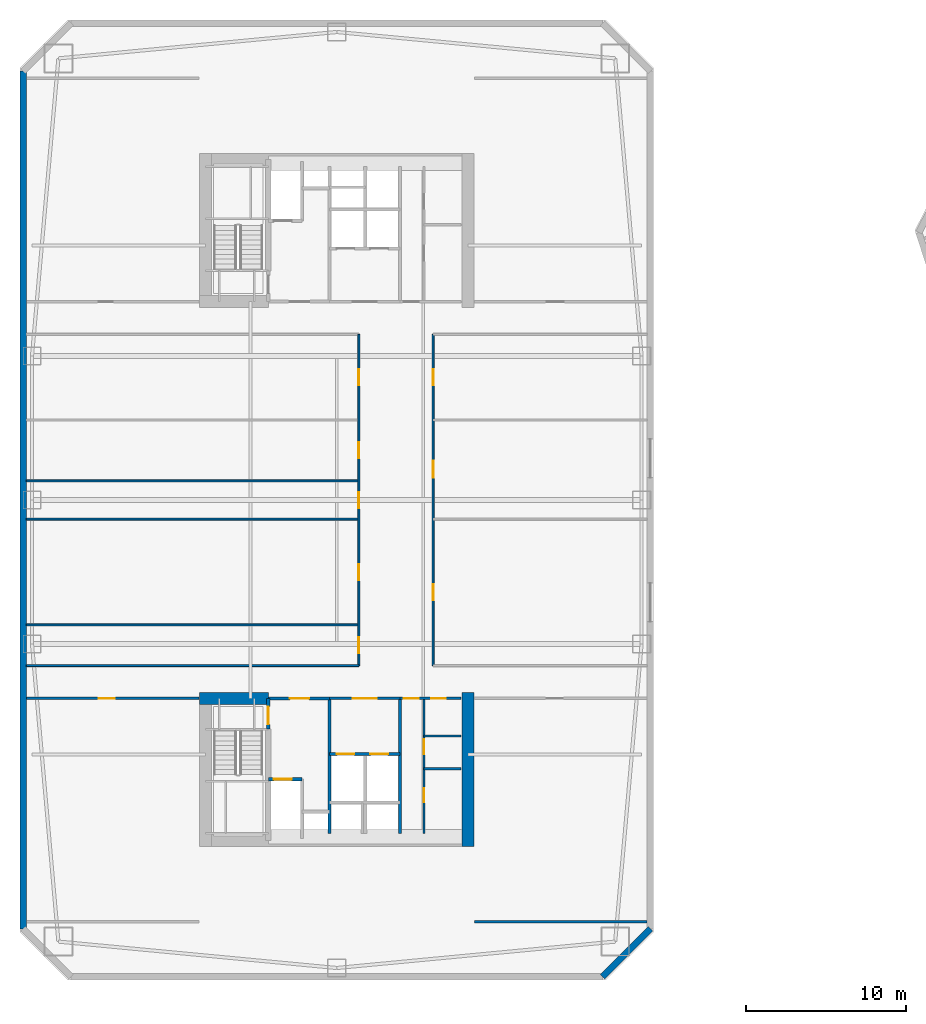
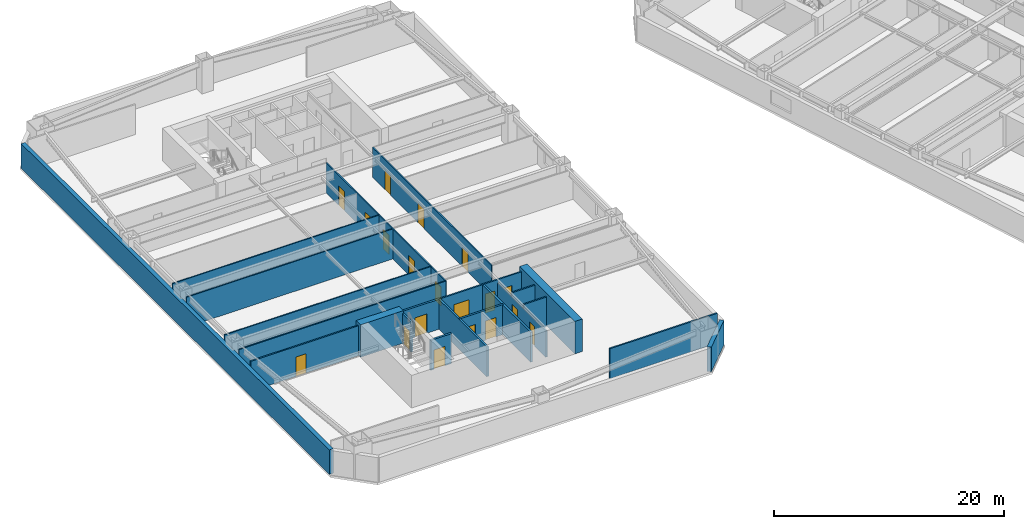
# One storey, part 5 of 13: 23 walls, 19 doors, 19 openings.
"""IFC4 building model written with IfcOpenShell, lengths in metres."""

from ifc_helpers import new_model, si_unit, direction, frame, frame_2d, origin, place, context, subcontext, project, spatial, rectangle, extrude, material, layer, layer_set, type_object, element, fill, save


model = new_model("IFC4")

# Units and contexts
model_context = context("Model", 3, precision=1e-05, world=origin(), true_north=direction((0.0, 1.0)))
body_context = subcontext(model_context, "Body", "Model", "MODEL_VIEW")
ifc_project = project(units=[si_unit("LENGTHUNIT", "METRE"), si_unit("AREAUNIT", "SQUARE_METRE"), si_unit("VOLUMEUNIT", "CUBIC_METRE"), si_unit("PLANEANGLEUNIT", "RADIAN"), si_unit("MASSUNIT", "GRAM", prefix="KILO")], contexts=[model_context])

# Site, building, storey
site_placement = place(None, origin())
site = spatial("IfcSite", under=ifc_project, at=site_placement, CompositionType="ELEMENT")
building_placement = place(site_placement, origin())
building = spatial("IfcBuilding", under=site, at=building_placement, Name="Qiaolan Cultural Towers", CompositionType="ELEMENT")
storey_placement = place(building_placement, frame((0.0, 0.0, 85.10009765625)))
storey = spatial("IfcBuildingStorey", under=building, at=storey_placement, Name="L21", CompositionType="ELEMENT", Elevation=85.10009765625)

# Walls
ifc_material_1 = material(Name="Concrete C60", Category="concrete")
ifc_layer_1 = layer(ifc_material_1, 0.75)
ifc_layer_set_1 = layer_set([ifc_layer_1], Name="Concrete C60")
wall_type_1 = type_object("IfcWallType", Name="WL-CORE-750", PredefinedType="SHEAR", material=ifc_layer_set_1)
wall_1_placement = place(storey_placement, frame((38.199951171875, 21.97509765625, 0.0), z_axis=(0.0, 0.0, 1.0), x_axis=(0.0, -1.0, 0.0)))
element("IfcWall", 1, at=wall_1_placement, inside=storey, type_object=wall_type_1, Name="L21 T1-CS East Core Shear Wall", PredefinedType="SHEAR", context=body_context, shape_type="SweptSolid", body=[
    extrude(rectangle(XDim=9.630126953125, YDim=0.75, at=frame_2d((4.81494140625, 0.0))), origin(), (0.0, 0.0, 1.0), 3.449951171875),
])
wall_2_placement = place(storey_placement, frame((21.425048828125, 21.60009765625, 0.0), z_axis=(0.0, 0.0, 1.0), x_axis=(1.0, 0.0, 0.0)))
element("IfcWall", 2, at=wall_2_placement, inside=storey, type_object=wall_type_1, Name="L21 T1-CS Stair Front Shear Wall", PredefinedType="SHEAR", context=body_context, shape_type="SweptSolid", body=[
    extrude(rectangle(XDim=4.294921875, YDim=0.75, at=frame_2d((2.1474609375, 0.0))), origin(), (0.0, 0.0, 1.0), 3.449951171875),
])
ifc_material_2 = material(Name="Precast Concrete C50 Honed Stone Pier", Category="masonry")
ifc_layer_2 = layer(ifc_material_2, 0.39990234375)
ifc_layer_set_2 = layer_set([ifc_layer_2], Name="Precast Concrete C50 Honed Stone Pier")
wall_type_2 = type_object("IfcWallType", Name="WL-EXT-PIER-400", PredefinedType="SOLIDWALL", material=ifc_layer_set_2)
wall_3_placement = place(storey_placement, frame((10.39990234375, 7.199951171875, 0.0), z_axis=(0.0, 0.0, 1.0), x_axis=(0.0, 1.0, 0.0)))
element("IfcWall", 3, at=wall_3_placement, inside=storey, type_object=wall_type_2, Name="L21 West Tower Precast Pier Facade Wall F1", PredefinedType="SOLIDWALL", context=body_context, shape_type="SweptSolid", body=[
    extrude(rectangle(XDim=53.60009765625, YDim=0.39990234375, at=frame_2d((26.800048828125, 0.0))), origin(), (0.0, 0.0, 1.0), 2.60986328125),
])
wall_4_placement = place(storey_placement, frame((49.60009765625, 7.199951171875, 0.0), z_axis=(0.0, 0.0, 1.0), x_axis=(-0.707106781187, -0.707106781187, 0.0)))
element("IfcWall", 4, at=wall_4_placement, inside=storey, type_object=wall_type_2, Name="L21 West Tower Precast Pier Facade Wall F6", PredefinedType="SOLIDWALL", context=body_context, shape_type="SweptSolid", body=[
    extrude(rectangle(XDim=4.24267578125, YDim=0.39990234375, at=frame_2d((2.121337890625, 0.0))), origin(), (0.0, 0.0, 1.0), 2.60986328125),
])

# Wall, opening, door
ifc_material_3 = material(Name="Concrete C35 Fire Wall", Category="concrete")
ifc_layer_3 = layer(ifc_material_3, 0.199951171875)
ifc_layer_set_3 = layer_set([ifc_layer_3], Name="Concrete C35 Fire Wall")
wall_type_3 = type_object("IfcWallType", Name="WL-FIRE-200", PredefinedType="PARTITIONING", material=ifc_layer_set_3)
wall_5_placement = place(storey_placement, frame((25.719970703125, 21.60009765625, 0.0), z_axis=(0.0, 0.0, 1.0), x_axis=(0.0, -1.0, 0.0)))
wall_5 = element("IfcWall", 5, at=wall_5_placement, inside=storey, type_object=wall_type_3, Name="L21 T1-CS Smokeproof Stair Entry Wall", PredefinedType="PARTITIONING", context=body_context, shape_type="SweptSolid", body=[
    extrude(rectangle(XDim=1.900146484375, YDim=0.199951171875, at=frame_2d((0.9501953125, 0.0))), origin(), (0.0, 0.0, 1.0), 3.1748046875),
])
opening_1_placement = place(wall_5_placement, frame((0.52001953125, 0.0, 0.0)))
opening_1 = element("IfcOpeningElement", 6, at=opening_1_placement, cuts=wall_5, Name="Opening FD-04", PredefinedType="OPENING", context=body_context, shape_type="SweptSolid", body=[
    extrude(rectangle(XDim=1.10009765625, YDim=2.050048828125, at=frame_2d((0.550048828125, 1.02490234375))), frame((0.0, 0.10986328125, 0.0), z_axis=(0.0, -1.0, 0.0), x_axis=(1.0, 0.0, 0.0)), (0.0, 0.0, 1.0), 0.219970703125),
])
ifc_material_4 = material(Name="Galvanized Steel Command Fire Door", Category="steel")
door_type_1 = type_object("IfcDoorType", Name="DR-FD90-1100", OperationType="NOTDEFINED", PredefinedType="DOOR", material=ifc_material_4)
door_1_placement = place(opening_1_placement, origin())
door_1 = element("IfcDoor", 7, at=door_1_placement, inside=storey, type_object=door_type_1, Name="L21 ST-W1 Smokeproof Stair Fire Door", OperationType="SINGLE_SWING_LEFT", OverallHeight=2.050048828125, OverallWidth=1.10009765625, PredefinedType="DOOR", context=body_context, shape_type="SweptSolid", body=[
    extrude(rectangle(XDim=1.10009765625, YDim=2.050048828125, at=frame_2d((0.550048828125, 1.02490234375))), frame((0.0, 0.02490234375, 0.0), z_axis=(0.0, -1.0, 0.0), x_axis=(1.0, 0.0, 0.0)), (0.0, 0.0, 1.0), 0.050048828125),
])
fill(opening_1, door_1)

# Wall
wall_6_placement = place(storey_placement, frame((29.550048828125, 21.60009765625, 0.0), z_axis=(0.0, 0.0, 1.0), x_axis=(0.0, -1.0, 0.0)))
element("IfcWall", 8, at=wall_6_placement, inside=storey, type_object=wall_type_3, Name="L21 T1-CS Firefighting Zone Wall", PredefinedType="PARTITIONING", context=body_context, shape_type="SweptSolid", body=[
    extrude(rectangle(XDim=8.43017578125, YDim=0.199951171875, at=frame_2d((4.215087890625, 0.0))), origin(), (0.0, 0.0, 1.0), 3.1748046875),
])

# Wall, opening, door
wall_7_placement = place(storey_placement, frame((25.719970703125, 21.60009765625, 0.0), z_axis=(0.0, 0.0, 1.0), x_axis=(1.0, 0.0, 0.0)))
wall_7 = element("IfcWall", 9, at=wall_7_placement, inside=storey, type_object=wall_type_3, Name="L21 T1-CS Firefighting Lobby Front Wall", PredefinedType="PARTITIONING", context=body_context, shape_type="SweptSolid", body=[
    extrude(rectangle(XDim=3.830078125, YDim=0.199951171875, at=frame_2d((1.9150390625, 0.0))), origin(), (0.0, 0.0, 1.0), 3.1748046875),
])
opening_2_placement = place(wall_7_placement, frame((1.35009765625, 0.0, 0.0)))
opening_2 = element("IfcOpeningElement", 10, at=opening_2_placement, cuts=wall_7, Name="Opening FD-03", PredefinedType="OPENING", context=body_context, shape_type="SweptSolid", body=[
    extrude(rectangle(XDim=1.199951171875, YDim=2.050048828125, at=frame_2d((0.60009765625, 1.02490234375))), frame((0.0, 0.10986328125, 0.0), z_axis=(0.0, -1.0, 0.0), x_axis=(1.0, 0.0, 0.0)), (0.0, 0.0, 1.0), 0.219970703125),
])
ifc_material_5 = material(Name="Galvanized Steel Smokeproof Lobby Fire Door", Category="steel")
door_type_2 = type_object("IfcDoorType", Name="DR-FD90-1200", OperationType="NOTDEFINED", PredefinedType="DOOR", material=ifc_material_5)
door_2_placement = place(opening_2_placement, origin())
door_2 = element("IfcDoor", 11, at=door_2_placement, inside=storey, type_object=door_type_2, Name="L21 FFL-W1 Firefighting Lobby Fire Door", OperationType="SINGLE_SWING_LEFT", OverallHeight=2.050048828125, OverallWidth=1.199951171875, PredefinedType="DOOR", context=body_context, shape_type="SweptSolid", body=[
    extrude(rectangle(XDim=1.199951171875, YDim=2.050048828125, at=frame_2d((0.60009765625, 1.02490234375))), frame((0.0, 0.02490234375, 0.0), z_axis=(0.0, -1.0, 0.0), x_axis=(1.0, 0.0, 0.0)), (0.0, 0.0, 1.0), 0.050048828125),
])
fill(opening_2, door_2)

wall_8_placement = place(storey_placement, frame((25.719970703125, 16.550048828125, 0.0), z_axis=(0.0, 0.0, 1.0), x_axis=(1.0, 0.0, 0.0)))
wall_8 = element("IfcWall", 12, at=wall_8_placement, inside=storey, type_object=wall_type_3, Name="L21 T1-CS Firefighting Shaft Front Wall", PredefinedType="PARTITIONING", context=body_context, shape_type="SweptSolid", body=[
    extrude(rectangle(XDim=2.10009765625, YDim=0.199951171875, at=frame_2d((1.050048828125, 0.0))), origin(), (0.0, 0.0, 1.0), 3.1748046875),
])
opening_3_placement = place(wall_8_placement, frame((0.35009765625, 0.0, 0.0)))
opening_3 = element("IfcOpeningElement", 13, at=opening_3_placement, cuts=wall_8, Name="Opening LD-01", PredefinedType="OPENING", context=body_context, shape_type="SweptSolid", body=[
    extrude(rectangle(XDim=1.10009765625, YDim=2.050048828125, at=frame_2d((0.550048828125, 1.02490234375))), frame((0.0, 0.10986328125, 0.0), z_axis=(0.0, -1.0, 0.0), x_axis=(1.0, 0.0, 0.0)), (0.0, 0.0, 1.0), 0.219970703125),
])
ifc_material_6 = material(Name="Brushed Stainless Steel S30408 Centre-Parting Lift Landing Door", Category="steel")
door_type_3 = type_object("IfcDoorType", Name="DR-LIFT-1100", OperationType="NOTDEFINED", PredefinedType="DOOR", material=ifc_material_6)
door_3_placement = place(opening_3_placement, origin())
door_3 = element("IfcDoor", 14, at=door_3_placement, inside=storey, type_object=door_type_3, Name="L21 FFL-W1 Firefighting Lift Landing Door", OperationType="DOUBLE_DOOR_SLIDING", OverallHeight=2.050048828125, OverallWidth=1.10009765625, PredefinedType="DOOR", context=body_context, shape_type="SweptSolid", body=[
    extrude(rectangle(XDim=1.10009765625, YDim=2.050048828125, at=frame_2d((0.550048828125, 1.02490234375))), frame((0.0, 0.02490234375, 0.0), z_axis=(0.0, -1.0, 0.0), x_axis=(1.0, 0.0, 0.0)), (0.0, 0.0, 1.0), 0.050048828125),
])
fill(opening_3, door_3)

# Wall
wall_9_placement = place(storey_placement, frame((33.949951171875, 21.60009765625, 0.0), z_axis=(0.0, 0.0, 1.0), x_axis=(0.0, -1.0, 0.0)))
element("IfcWall", 15, at=wall_9_placement, inside=storey, type_object=wall_type_3, Name="L21 T1-CS Lift Core East Wall", PredefinedType="PARTITIONING", context=body_context, shape_type="SweptSolid", body=[
    extrude(rectangle(XDim=8.43017578125, YDim=0.199951171875, at=frame_2d((4.215087890625, 0.0))), origin(), (0.0, 0.0, 1.0), 3.1748046875),
])

# Wall, openings, doors
wall_10_placement = place(storey_placement, frame((29.550048828125, 18.1201171875, 0.0), z_axis=(0.0, 0.0, 1.0), x_axis=(1.0, 0.0, 0.0)))
wall_10 = element("IfcWall", 16, at=wall_10_placement, inside=storey, type_object=wall_type_3, Name="L21 T1-CS Passenger Lift Shaft Front Wall", PredefinedType="PARTITIONING", context=body_context, shape_type="SweptSolid", body=[
    extrude(rectangle(XDim=4.39990234375, YDim=0.199951171875, at=frame_2d((2.199951171875, 0.0))), origin(), (0.0, 0.0, 1.0), 3.1748046875),
])
opening_4_placement = place(wall_10_placement, frame((0.449951171875, 0.0, 0.0)))
opening_4 = element("IfcOpeningElement", 17, at=opening_4_placement, cuts=wall_10, Name="Opening LD-01", PredefinedType="OPENING", context=body_context, shape_type="SweptSolid", body=[
    extrude(rectangle(XDim=1.10009765625, YDim=2.050048828125, at=frame_2d((0.550048828125, 1.02490234375))), frame((0.0, 0.10986328125, 0.0), z_axis=(0.0, -1.0, 0.0), x_axis=(1.0, 0.0, 0.0)), (0.0, 0.0, 1.0), 0.219970703125),
])
opening_5_placement = place(wall_10_placement, frame((2.550048828125, 0.0, 0.0)))
opening_5 = element("IfcOpeningElement", 18, at=opening_5_placement, cuts=wall_10, Name="Opening LD-01", PredefinedType="OPENING", context=body_context, shape_type="SweptSolid", body=[
    extrude(rectangle(XDim=1.10009765625, YDim=2.050048828125, at=frame_2d((0.550048828125, 1.02490234375))), frame((0.0, 0.10986328125, 0.0), z_axis=(0.0, -1.0, 0.0), x_axis=(1.0, 0.0, 0.0)), (0.0, 0.0, 1.0), 0.219970703125),
])
door_4_placement = place(opening_4_placement, origin())
door_4 = element("IfcDoor", 19, at=door_4_placement, inside=storey, type_object=door_type_3, Name="L21 Passenger Lift 1 Landing Door", OperationType="DOUBLE_DOOR_SLIDING", OverallHeight=2.050048828125, OverallWidth=1.10009765625, PredefinedType="DOOR", context=body_context, shape_type="SweptSolid", body=[
    extrude(rectangle(XDim=1.10009765625, YDim=2.050048828125, at=frame_2d((0.550048828125, 1.02490234375))), frame((0.0, 0.02490234375, 0.0), z_axis=(0.0, -1.0, 0.0), x_axis=(1.0, 0.0, 0.0)), (0.0, 0.0, 1.0), 0.050048828125),
])
fill(opening_4, door_4)
door_5_placement = place(opening_5_placement, origin())
door_5 = element("IfcDoor", 20, at=door_5_placement, inside=storey, type_object=door_type_3, Name="L21 Passenger Lift 2 Landing Door", OperationType="DOUBLE_DOOR_SLIDING", OverallHeight=2.050048828125, OverallWidth=1.10009765625, PredefinedType="DOOR", context=body_context, shape_type="SweptSolid", body=[
    extrude(rectangle(XDim=1.10009765625, YDim=2.050048828125, at=frame_2d((0.550048828125, 1.02490234375))), frame((0.0, 0.02490234375, 0.0), z_axis=(0.0, -1.0, 0.0), x_axis=(1.0, 0.0, 0.0)), (0.0, 0.0, 1.0), 0.050048828125),
])
fill(opening_5, door_5)

# Wall
ifc_material_7 = material(Name="Gypsum Stud Acoustic Partition", Category="gypsum")
ifc_layer_4 = layer(ifc_material_7, 0.1201171875)
ifc_layer_set_4 = layer_set([ifc_layer_4], Name="Gypsum Stud Acoustic Partition")
wall_type_4 = type_object("IfcWallType", Name="WL-PART-120", PredefinedType="PARTITIONING", material=ifc_layer_set_4)
wall_11_placement = place(storey_placement, frame((10.60009765625, 23.64990234375, 0.0), z_axis=(0.0, 0.0, 1.0), x_axis=(1.0, 0.0, 0.0)))
element("IfcWall", 21, at=wall_11_placement, inside=storey, type_object=wall_type_4, Name="L21 T1 South Corridor Left Wall", PredefinedType="PARTITIONING", context=body_context, shape_type="SweptSolid", body=[
    extrude(rectangle(XDim=20.77490234375, YDim=0.1201171875, at=frame_2d((10.387451171875, 0.0))), origin(), (0.0, 0.0, 1.0), 3.1748046875),
])

# Wall, openings, doors
wall_12_placement = place(storey_placement, frame((31.375, 23.64990234375, 0.0), z_axis=(0.0, 0.0, 1.0), x_axis=(0.0, 1.0, 0.0)))
wall_12 = element("IfcWall", 22, at=wall_12_placement, inside=storey, type_object=wall_type_4, Name="L21 T1 West Spine Wall", PredefinedType="PARTITIONING", context=body_context, shape_type="SweptSolid", body=[
    extrude(rectangle(XDim=20.7001953125, YDim=0.1201171875, at=frame_2d((10.35009765625, 0.0))), origin(), (0.0, 0.0, 1.0), 3.1748046875),
])
opening_6_placement = place(wall_12_placement, frame((0.77490234375, 0.0, 0.0)))
opening_6 = element("IfcOpeningElement", 23, at=opening_6_placement, cuts=wall_12, Name="Opening ID-04", PredefinedType="OPENING", context=body_context, shape_type="SweptSolid", body=[
    extrude(rectangle(XDim=1.0, YDim=2.050048828125, at=frame_2d((0.5, 1.02490234375))), frame((0.0, 0.070068359375, 0.0), z_axis=(0.0, -1.0, 0.0), x_axis=(1.0, 0.0, 0.0)), (0.0, 0.0, 1.0), 0.14013671875),
])
opening_7_placement = place(wall_12_placement, frame((5.35009765625, 0.0, 0.0)))
opening_7 = element("IfcOpeningElement", 24, at=opening_7_placement, cuts=wall_12, Name="Opening ID-04", PredefinedType="OPENING", context=body_context, shape_type="SweptSolid", body=[
    extrude(rectangle(XDim=1.0, YDim=2.050048828125, at=frame_2d((0.5, 1.02490234375))), frame((0.0, 0.070068359375, 0.0), z_axis=(0.0, -1.0, 0.0), x_axis=(1.0, 0.0, 0.0)), (0.0, 0.0, 1.0), 0.14013671875),
])
opening_8_placement = place(wall_12_placement, frame((9.85009765625, 0.0, 0.0)))
opening_8 = element("IfcOpeningElement", 25, at=opening_8_placement, cuts=wall_12, Name="Opening ID-04", PredefinedType="OPENING", context=body_context, shape_type="SweptSolid", body=[
    extrude(rectangle(XDim=1.0, YDim=2.050048828125, at=frame_2d((0.5, 1.02490234375))), frame((0.0, 0.070068359375, 0.0), z_axis=(0.0, -1.0, 0.0), x_axis=(1.0, 0.0, 0.0)), (0.0, 0.0, 1.0), 0.14013671875),
])
opening_9_placement = place(wall_12_placement, frame((12.949951171875, 0.0, 0.0)))
opening_9 = element("IfcOpeningElement", 26, at=opening_9_placement, cuts=wall_12, Name="Opening ID-04", PredefinedType="OPENING", context=body_context, shape_type="SweptSolid", body=[
    extrude(rectangle(XDim=1.0, YDim=2.050048828125, at=frame_2d((0.5, 1.02490234375))), frame((0.0, 0.070068359375, 0.0), z_axis=(0.0, -1.0, 0.0), x_axis=(1.0, 0.0, 0.0)), (0.0, 0.0, 1.0), 0.14013671875),
])
opening_10_placement = place(wall_12_placement, frame((17.52490234375, 0.0, 0.0)))
opening_10 = element("IfcOpeningElement", 27, at=opening_10_placement, cuts=wall_12, Name="Opening ID-04", PredefinedType="OPENING", context=body_context, shape_type="SweptSolid", body=[
    extrude(rectangle(XDim=1.0, YDim=2.050048828125, at=frame_2d((0.5, 1.02490234375))), frame((0.0, 0.070068359375, 0.0), z_axis=(0.0, -1.0, 0.0), x_axis=(1.0, 0.0, 0.0)), (0.0, 0.0, 1.0), 0.14013671875),
])
ifc_material_8 = material(Name="Oak Veneer Acoustic Office Door", Category="timber")
door_type_4 = type_object("IfcDoorType", Name="DR-INT-1000", OperationType="NOTDEFINED", PredefinedType="DOOR", material=ifc_material_8)
door_6_placement = place(opening_6_placement, origin())
door_6 = element("IfcDoor", 28, at=door_6_placement, inside=storey, type_object=door_type_4, Name="L21 T1 Health & Ergonomics Room Door", OperationType="SINGLE_SWING_LEFT", OverallHeight=2.050048828125, OverallWidth=1.0, PredefinedType="DOOR", context=body_context, shape_type="SweptSolid", body=[
    extrude(rectangle(XDim=1.0, YDim=2.050048828125, at=frame_2d((0.5, 1.02490234375))), frame((0.0, 0.02490234375, 0.0), z_axis=(0.0, -1.0, 0.0), x_axis=(1.0, 0.0, 0.0)), (0.0, 0.0, 1.0), 0.050048828125),
])
fill(opening_6, door_6)
door_7_placement = place(opening_7_placement, origin())
door_7 = element("IfcDoor", 29, at=door_7_placement, inside=storey, type_object=door_type_4, Name="L21 T1 Health & Ergonomics Room Door", OperationType="SINGLE_SWING_RIGHT", OverallHeight=2.050048828125, OverallWidth=1.0, PredefinedType="DOOR", context=body_context, shape_type="SweptSolid", body=[
    extrude(rectangle(XDim=1.0, YDim=2.050048828125, at=frame_2d((0.5, 1.02490234375))), frame((0.0, 0.02490234375, 0.0), z_axis=(0.0, -1.0, 0.0), x_axis=(1.0, 0.0, 0.0)), (0.0, 0.0, 1.0), 0.050048828125),
])
fill(opening_7, door_7)
door_8_placement = place(opening_8_placement, origin())
door_8 = element("IfcDoor", 30, at=door_8_placement, inside=storey, type_object=door_type_4, Name="L21 T1 Health & Ergonomics Room Door", OperationType="SINGLE_SWING_LEFT", OverallHeight=2.050048828125, OverallWidth=1.0, PredefinedType="DOOR", context=body_context, shape_type="SweptSolid", body=[
    extrude(rectangle(XDim=1.0, YDim=2.050048828125, at=frame_2d((0.5, 1.02490234375))), frame((0.0, 0.02490234375, 0.0), z_axis=(0.0, -1.0, 0.0), x_axis=(1.0, 0.0, 0.0)), (0.0, 0.0, 1.0), 0.050048828125),
])
fill(opening_8, door_8)
door_9_placement = place(opening_9_placement, origin())
door_9 = element("IfcDoor", 31, at=door_9_placement, inside=storey, type_object=door_type_4, Name="L21 T1 Executive Office Door", OperationType="SINGLE_SWING_RIGHT", OverallHeight=2.050048828125, OverallWidth=1.0, PredefinedType="DOOR", context=body_context, shape_type="SweptSolid", body=[
    extrude(rectangle(XDim=1.0, YDim=2.050048828125, at=frame_2d((0.5, 1.02490234375))), frame((0.0, 0.02490234375, 0.0), z_axis=(0.0, -1.0, 0.0), x_axis=(1.0, 0.0, 0.0)), (0.0, 0.0, 1.0), 0.050048828125),
])
fill(opening_9, door_9)
door_10_placement = place(opening_10_placement, origin())
door_10 = element("IfcDoor", 32, at=door_10_placement, inside=storey, type_object=door_type_4, Name="L21 T1 Executive Office Door", OperationType="SINGLE_SWING_LEFT", OverallHeight=2.050048828125, OverallWidth=1.0, PredefinedType="DOOR", context=body_context, shape_type="SweptSolid", body=[
    extrude(rectangle(XDim=1.0, YDim=2.050048828125, at=frame_2d((0.5, 1.02490234375))), frame((0.0, 0.02490234375, 0.0), z_axis=(0.0, -1.0, 0.0), x_axis=(1.0, 0.0, 0.0)), (0.0, 0.0, 1.0), 0.050048828125),
])
fill(opening_10, door_10)

wall_13_placement = place(storey_placement, frame((36.02490234375, 23.64990234375, 0.0), z_axis=(0.0, 0.0, 1.0), x_axis=(0.0, 1.0, 0.0)))
wall_13 = element("IfcWall", 33, at=wall_13_placement, inside=storey, type_object=wall_type_4, Name="L21 T1 East Spine Wall", PredefinedType="PARTITIONING", context=body_context, shape_type="SweptSolid", body=[
    extrude(rectangle(XDim=20.7001953125, YDim=0.1201171875, at=frame_2d((10.35009765625, 0.0))), origin(), (0.0, 0.0, 1.0), 3.1748046875),
])
opening_11_placement = place(wall_13_placement, frame((4.074951171875, 0.0, 0.0)))
opening_11 = element("IfcOpeningElement", 34, at=opening_11_placement, cuts=wall_13, Name="Opening ID-04", PredefinedType="OPENING", context=body_context, shape_type="SweptSolid", body=[
    extrude(rectangle(XDim=1.0, YDim=2.050048828125, at=frame_2d((0.5, 1.02490234375))), frame((0.0, 0.070068359375, 0.0), z_axis=(0.0, -1.0, 0.0), x_axis=(1.0, 0.0, 0.0)), (0.0, 0.0, 1.0), 0.14013671875),
])
opening_12_placement = place(wall_13_placement, frame((11.75, 0.0, 0.0)))
opening_12 = element("IfcOpeningElement", 35, at=opening_12_placement, cuts=wall_13, Name="Opening ID-07", PredefinedType="OPENING", context=body_context, shape_type="SweptSolid", body=[
    extrude(rectangle(XDim=1.050048828125, YDim=2.050048828125, at=frame_2d((0.52490234375, 1.02490234375))), frame((0.0, 0.070068359375, 0.0), z_axis=(0.0, -1.0, 0.0), x_axis=(1.0, 0.0, 0.0)), (0.0, 0.0, 1.0), 0.14013671875),
])
opening_13_placement = place(wall_13_placement, frame((17.52490234375, 0.0, 0.0)))
opening_13 = element("IfcOpeningElement", 36, at=opening_13_placement, cuts=wall_13, Name="Opening ID-04", PredefinedType="OPENING", context=body_context, shape_type="SweptSolid", body=[
    extrude(rectangle(XDim=1.0, YDim=2.050048828125, at=frame_2d((0.5, 1.02490234375))), frame((0.0, 0.070068359375, 0.0), z_axis=(0.0, -1.0, 0.0), x_axis=(1.0, 0.0, 0.0)), (0.0, 0.0, 1.0), 0.14013671875),
])
door_11_placement = place(opening_11_placement, origin())
door_11 = element("IfcDoor", 37, at=door_11_placement, inside=storey, type_object=door_type_4, Name="L21 T1 Members Lounge Door", OperationType="SINGLE_SWING_RIGHT", OverallHeight=2.050048828125, OverallWidth=1.0, PredefinedType="DOOR", context=body_context, shape_type="SweptSolid", body=[
    extrude(rectangle(XDim=1.0, YDim=2.050048828125, at=frame_2d((0.5, 1.02490234375))), frame((0.0, 0.02490234375, 0.0), z_axis=(0.0, -1.0, 0.0), x_axis=(1.0, 0.0, 0.0)), (0.0, 0.0, 1.0), 0.050048828125),
])
fill(opening_11, door_11)
door_12_placement = place(opening_13_placement, origin())
door_12 = element("IfcDoor", 38, at=door_12_placement, inside=storey, type_object=door_type_4, Name="L21 T1 Members Lounge Door", OperationType="SINGLE_SWING_RIGHT", OverallHeight=2.050048828125, OverallWidth=1.0, PredefinedType="DOOR", context=body_context, shape_type="SweptSolid", body=[
    extrude(rectangle(XDim=1.0, YDim=2.050048828125, at=frame_2d((0.5, 1.02490234375))), frame((0.0, 0.02490234375, 0.0), z_axis=(0.0, -1.0, 0.0), x_axis=(1.0, 0.0, 0.0)), (0.0, 0.0, 1.0), 0.050048828125),
])
fill(opening_13, door_12)
ifc_material_9 = material(Name="Oak Veneer Consultation Door", Category="timber")
door_type_5 = type_object("IfcDoorType", Name="DR-INT-1050", OperationType="NOTDEFINED", PredefinedType="DOOR", material=ifc_material_9)
door_13_placement = place(opening_12_placement, origin())
door_13 = element("IfcDoor", 39, at=door_13_placement, inside=storey, type_object=door_type_5, Name="L21 T1 Members Lounge Door", OperationType="SINGLE_SWING_LEFT", OverallHeight=2.050048828125, OverallWidth=1.050048828125, PredefinedType="DOOR", context=body_context, shape_type="SweptSolid", body=[
    extrude(rectangle(XDim=1.050048828125, YDim=2.050048828125, at=frame_2d((0.52490234375, 1.02490234375))), frame((0.0, 0.02490234375, 0.0), z_axis=(0.0, -1.0, 0.0), x_axis=(1.0, 0.0, 0.0)), (0.0, 0.0, 1.0), 0.050048828125),
])
fill(opening_12, door_13)

# Walls
for number, where, z_axis, x_axis, name in (
    (40, (10.60009765625, 26.199951171875, 0.0), (0.0, 0.0, 1.0), (1.0, 0.0, 0.0), "L21 T1 West Partition 1"),
    (41, (10.60009765625, 32.800048828125, 0.0), (0.0, 0.0, 1.0), (1.0, 0.0, 0.0), "L21 T1 West Partition 2"),
    (42, (10.60009765625, 35.199951171875, 0.0), (0.0, 0.0, 1.0), (1.0, 0.0, 0.0), "L21 T1 West Partition 3"),
):
    element("IfcWall", number, at=place(storey_placement, frame(where, z_axis=z_axis, x_axis=x_axis)), inside=storey, type_object=wall_type_4, Name=name, PredefinedType="PARTITIONING", context=body_context, shape_type="SweptSolid", body=[
        extrude(rectangle(XDim=20.77490234375, YDim=0.1201171875, at=frame_2d((10.387451171875, 0.0))), origin(), (0.0, 0.0, 1.0), 3.1748046875),
    ])

# Wall, opening, door
ifc_material_10 = material(Name="Autoclaved Aerated Concrete Block B06", Category="concrete")
ifc_layer_5 = layer(ifc_material_10, 0.14990234375)
ifc_layer_set_5 = layer_set([ifc_layer_5], Name="Autoclaved Aerated Concrete Block B06")
wall_type_5 = type_object("IfcWallType", Name="WL-PART-150", PredefinedType="PARTITIONING", material=ifc_layer_set_5)
wall_14_placement = place(storey_placement, frame((29.550048828125, 21.60009765625, 0.0), z_axis=(0.0, 0.0, 1.0), x_axis=(1.0, 0.0, 0.0)))
wall_14 = element("IfcWall", 43, at=wall_14_placement, inside=storey, type_object=wall_type_5, Name="L21 T1-CS Passenger Lift Lobby Front Wall", PredefinedType="PARTITIONING", context=body_context, shape_type="SweptSolid", body=[
    extrude(rectangle(XDim=4.39990234375, YDim=0.14990234375, at=frame_2d((2.199951171875, 0.0))), origin(), (0.0, 0.0, 1.0), 3.1748046875),
])
opening_14_placement = place(wall_14_placement, frame((1.449951171875, 0.0, 0.0)))
opening_14 = element("IfcOpeningElement", 44, at=opening_14_placement, cuts=wall_14, Name="Opening FD-05", PredefinedType="OPENING", context=body_context, shape_type="SweptSolid", body=[
    extrude(rectangle(XDim=1.5, YDim=2.050048828125, at=frame_2d((0.75, 1.02490234375))), frame((0.0, 0.0849609375, 0.0), z_axis=(0.0, -1.0, 0.0), x_axis=(1.0, 0.0, 0.0)), (0.0, 0.0, 1.0), 0.169921875),
])
ifc_material_11 = material(Name="Painted Steel Lift Lobby Fire Door", Category="steel")
door_type_6 = type_object("IfcDoorType", Name="DR-FD60-1500", OperationType="NOTDEFINED", PredefinedType="DOOR", material=ifc_material_11)
door_14_placement = place(opening_14_placement, origin())
door_14 = element("IfcDoor", 45, at=door_14_placement, inside=storey, type_object=door_type_6, Name="L21 Passenger Lift Lobby Entrance", OperationType="SINGLE_SWING_LEFT", OverallHeight=2.050048828125, OverallWidth=1.5, PredefinedType="DOOR", context=body_context, shape_type="SweptSolid", body=[
    extrude(rectangle(XDim=1.5, YDim=2.050048828125, at=frame_2d((0.75, 1.02490234375))), frame((0.0, 0.02490234375, 0.0), z_axis=(0.0, -1.0, 0.0), x_axis=(1.0, 0.0, 0.0)), (0.0, 0.0, 1.0), 0.050048828125),
])
fill(opening_14, door_14)

# Wall, openings, doors
wall_15_placement = place(storey_placement, frame((33.949951171875, 21.60009765625, 0.0), z_axis=(0.0, 0.0, 1.0), x_axis=(1.0, 0.0, 0.0)))
wall_15 = element("IfcWall", 46, at=wall_15_placement, inside=storey, type_object=wall_type_5, Name="L21 T1-CS Sanitary Core Front Wall", PredefinedType="PARTITIONING", context=body_context, shape_type="SweptSolid", body=[
    extrude(rectangle(XDim=3.800048828125, YDim=0.14990234375, at=frame_2d((1.89990234375, 0.0))), origin(), (0.0, 0.0, 1.0), 3.1748046875),
])
opening_15_placement = place(wall_15_placement, frame((0.219970703125, 0.0, 0.0)))
opening_15 = element("IfcOpeningElement", 47, at=opening_15_placement, cuts=wall_15, Name="Opening ID-05", PredefinedType="OPENING", context=body_context, shape_type="SweptSolid", body=[
    extrude(rectangle(XDim=0.949951171875, YDim=2.050048828125, at=frame_2d((0.47509765625, 1.02490234375))), frame((0.0, 0.0849609375, 0.0), z_axis=(0.0, -1.0, 0.0), x_axis=(1.0, 0.0, 0.0)), (0.0, 0.0, 1.0), 0.169921875),
])
opening_16_placement = place(wall_15_placement, frame((1.949951171875, 0.0, 0.0)))
opening_16 = element("IfcOpeningElement", 48, at=opening_16_placement, cuts=wall_15, Name="Opening ID-06", PredefinedType="OPENING", context=body_context, shape_type="SweptSolid", body=[
    extrude(rectangle(XDim=0.89990234375, YDim=2.050048828125, at=frame_2d((0.449951171875, 1.02490234375))), frame((0.0, 0.0849609375, 0.0), z_axis=(0.0, -1.0, 0.0), x_axis=(1.0, 0.0, 0.0)), (0.0, 0.0, 1.0), 0.169921875),
])
ifc_material_12 = material(Name="Fire-Rated Laminate Core Service Door", Category="timber")
door_type_7 = type_object("IfcDoorType", Name="DR-INT-900", OperationType="NOTDEFINED", PredefinedType="DOOR", material=ifc_material_12)
door_15_placement = place(opening_16_placement, origin())
door_15 = element("IfcDoor", 49, at=door_15_placement, inside=storey, type_object=door_type_7, Name="L21 Core Tea Pantry Door", OperationType="SINGLE_SWING_RIGHT", OverallHeight=2.050048828125, OverallWidth=0.89990234375, PredefinedType="DOOR", context=body_context, shape_type="SweptSolid", body=[
    extrude(rectangle(XDim=0.89990234375, YDim=2.050048828125, at=frame_2d((0.449951171875, 1.02490234375))), frame((0.0, 0.02490234375, 0.0), z_axis=(0.0, -1.0, 0.0), x_axis=(1.0, 0.0, 0.0)), (0.0, 0.0, 1.0), 0.050048828125),
])
fill(opening_16, door_15)
ifc_material_13 = material(Name="Fire-Rated Laminate Accessible Core Door", Category="timber")
door_type_8 = type_object("IfcDoorType", Name="DR-INT-950", OperationType="NOTDEFINED", PredefinedType="DOOR", material=ifc_material_13)
door_16_placement = place(opening_15_placement, origin())
door_16 = element("IfcDoor", 50, at=door_16_placement, inside=storey, type_object=door_type_8, Name="L21 Sanitary Passage Door", OperationType="SINGLE_SWING_LEFT", OverallHeight=2.050048828125, OverallWidth=0.949951171875, PredefinedType="DOOR", context=body_context, shape_type="SweptSolid", body=[
    extrude(rectangle(XDim=0.949951171875, YDim=2.050048828125, at=frame_2d((0.47509765625, 1.02490234375))), frame((0.0, 0.02490234375, 0.0), z_axis=(0.0, -1.0, 0.0), x_axis=(1.0, 0.0, 0.0)), (0.0, 0.0, 1.0), 0.050048828125),
])
fill(opening_15, door_16)

wall_16_placement = place(storey_placement, frame((35.449951171875, 21.60009765625, 0.0), z_axis=(0.0, 0.0, 1.0), x_axis=(0.0, -1.0, 0.0)))
wall_16 = element("IfcWall", 51, at=wall_16_placement, inside=storey, type_object=wall_type_5, Name="L21 T1-CS Sanitary Corridor Wall", PredefinedType="PARTITIONING", context=body_context, shape_type="SweptSolid", body=[
    extrude(rectangle(XDim=8.43017578125, YDim=0.14990234375, at=frame_2d((4.215087890625, 0.0))), origin(), (0.0, 0.0, 1.0), 2.81494140625),
])
opening_17_placement = place(wall_16_placement, frame((2.550048828125, 0.0, 0.0)))
opening_17 = element("IfcOpeningElement", 52, at=opening_17_placement, cuts=wall_16, Name="Opening ID-05", PredefinedType="OPENING", context=body_context, shape_type="SweptSolid", body=[
    extrude(rectangle(XDim=0.949951171875, YDim=2.050048828125, at=frame_2d((0.47509765625, 1.02490234375))), frame((0.0, 0.0849609375, 0.0), z_axis=(0.0, -1.0, 0.0), x_axis=(1.0, 0.0, 0.0)), (0.0, 0.0, 1.0), 0.169921875),
])
opening_18_placement = place(wall_16_placement, frame((5.60009765625, 0.0, 0.0)))
opening_18 = element("IfcOpeningElement", 53, at=opening_18_placement, cuts=wall_16, Name="Opening ID-06", PredefinedType="OPENING", context=body_context, shape_type="SweptSolid", body=[
    extrude(rectangle(XDim=0.89990234375, YDim=2.050048828125, at=frame_2d((0.449951171875, 1.02490234375))), frame((0.0, 0.0849609375, 0.0), z_axis=(0.0, -1.0, 0.0), x_axis=(1.0, 0.0, 0.0)), (0.0, 0.0, 1.0), 0.169921875),
])
door_17_placement = place(opening_18_placement, origin())
door_17 = element("IfcDoor", 54, at=door_17_placement, inside=storey, type_object=door_type_7, Name="L21 Staff Restroom Door", OperationType="SINGLE_SWING_RIGHT", OverallHeight=2.050048828125, OverallWidth=0.89990234375, PredefinedType="DOOR", context=body_context, shape_type="SweptSolid", body=[
    extrude(rectangle(XDim=0.89990234375, YDim=2.050048828125, at=frame_2d((0.449951171875, 1.02490234375))), frame((0.0, 0.02490234375, 0.0), z_axis=(0.0, -1.0, 0.0), x_axis=(1.0, 0.0, 0.0)), (0.0, 0.0, 1.0), 0.050048828125),
])
fill(opening_18, door_17)
door_18_placement = place(opening_17_placement, origin())
door_18 = element("IfcDoor", 55, at=door_18_placement, inside=storey, type_object=door_type_8, Name="L21 Accessible Washroom Door", OperationType="SINGLE_SWING_LEFT", OverallHeight=2.050048828125, OverallWidth=0.949951171875, PredefinedType="DOOR", context=body_context, shape_type="SweptSolid", body=[
    extrude(rectangle(XDim=0.949951171875, YDim=2.050048828125, at=frame_2d((0.47509765625, 1.02490234375))), frame((0.0, 0.02490234375, 0.0), z_axis=(0.0, -1.0, 0.0), x_axis=(1.0, 0.0, 0.0)), (0.0, 0.0, 1.0), 0.050048828125),
])
fill(opening_17, door_18)

# Walls
for number, where, z_axis, x_axis, name in (
    (56, (35.449951171875, 17.199951171875, 0.0), (0.0, 0.0, 1.0), (1.0, 0.0, 0.0), "L21 T1-CS Restroom Split Wall"),
    (57, (35.449951171875, 19.25, 0.0), (0.0, 0.0, 1.0), (1.0, 0.0, 0.0), "L21 T1-CS Core Pantry Wall"),
):
    element("IfcWall", number, at=place(storey_placement, frame(where, z_axis=z_axis, x_axis=x_axis)), inside=storey, type_object=wall_type_5, Name=name, PredefinedType="PARTITIONING", context=body_context, shape_type="SweptSolid", body=[
        extrude(rectangle(XDim=2.300048828125, YDim=0.14990234375, at=frame_2d((1.14990234375, 0.0))), origin(), (0.0, 0.0, 1.0), 3.1748046875),
    ])

# Wall, opening, door
wall_17_placement = place(storey_placement, frame((10.60009765625, 21.60009765625, 0.0), z_axis=(0.0, 0.0, 1.0), x_axis=(1.0, 0.0, 0.0)))
wall_17 = element("IfcWall", 58, at=wall_17_placement, inside=storey, type_object=wall_type_5, Name="L21 T1 Flank Front FLK-SW", PredefinedType="PARTITIONING", context=body_context, shape_type="SweptSolid", body=[
    extrude(rectangle(XDim=10.7998046875, YDim=0.14990234375, at=frame_2d((5.39990234375, 0.0))), origin(), (0.0, 0.0, 1.0), 3.1748046875),
])
opening_19_placement = place(wall_17_placement, frame((4.535888671875, 0.0, 0.0)))
opening_19 = element("IfcOpeningElement", 59, at=opening_19_placement, cuts=wall_17, Name="Opening ID-04", PredefinedType="OPENING", context=body_context, shape_type="SweptSolid", body=[
    extrude(rectangle(XDim=1.0, YDim=2.050048828125, at=frame_2d((0.5, 1.02490234375))), frame((0.0, 0.0849609375, 0.0), z_axis=(0.0, -1.0, 0.0), x_axis=(1.0, 0.0, 0.0)), (0.0, 0.0, 1.0), 0.169921875),
])
door_19_placement = place(opening_19_placement, origin())
door_19 = element("IfcDoor", 60, at=door_19_placement, inside=storey, type_object=door_type_4, Name="L21 T1 Corner Studio Door", OperationType="SINGLE_SWING_LEFT", OverallHeight=2.050048828125, OverallWidth=1.0, PredefinedType="DOOR", context=body_context, shape_type="SweptSolid", body=[
    extrude(rectangle(XDim=1.0, YDim=2.050048828125, at=frame_2d((0.5, 1.02490234375))), frame((0.0, 0.02490234375, 0.0), z_axis=(0.0, -1.0, 0.0), x_axis=(1.0, 0.0, 0.0)), (0.0, 0.0, 1.0), 0.050048828125),
])
fill(opening_19, door_19)

# Wall
wall_18_placement = place(storey_placement, frame((38.60009765625, 7.64990234375, 0.0), z_axis=(0.0, 0.0, 1.0), x_axis=(1.0, 0.0, 0.0)))
element("IfcWall", 61, at=wall_18_placement, inside=storey, type_object=wall_type_5, Name="L21 T1 Flank Wall FLK-SE", PredefinedType="PARTITIONING", context=body_context, shape_type="SweptSolid", body=[
    extrude(rectangle(XDim=10.7998046875, YDim=0.14990234375, at=frame_2d((5.39990234375, 0.0))), origin(), (0.0, 0.0, 1.0), 3.1748046875),
])

save(model, "model.ifc")
